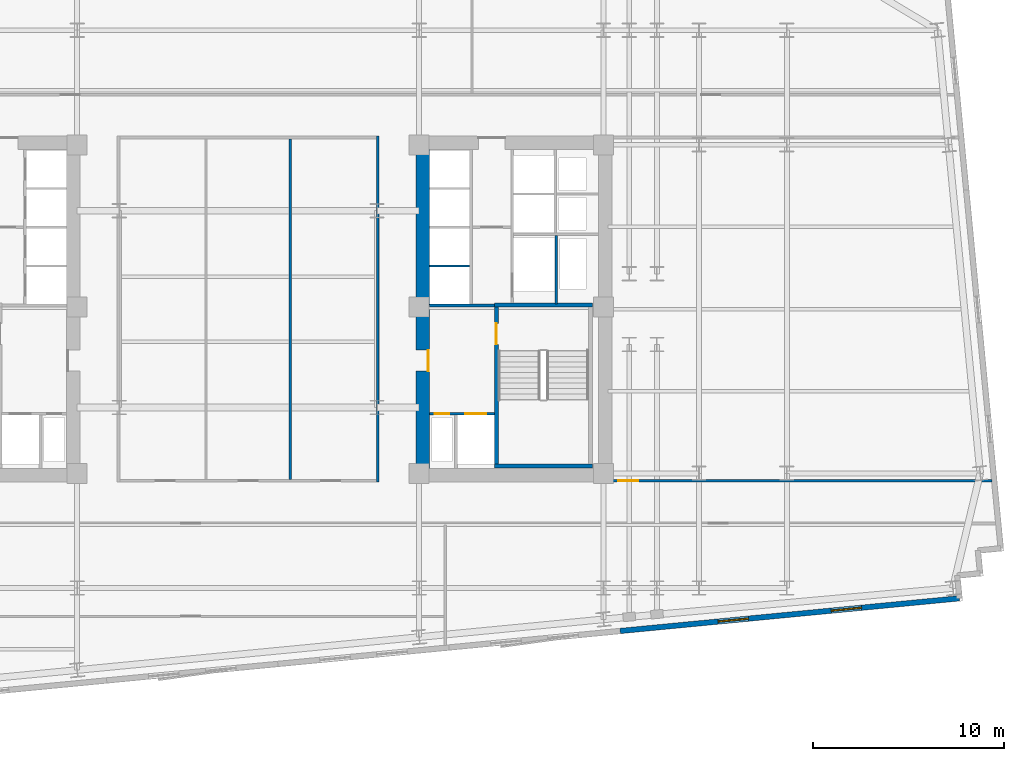
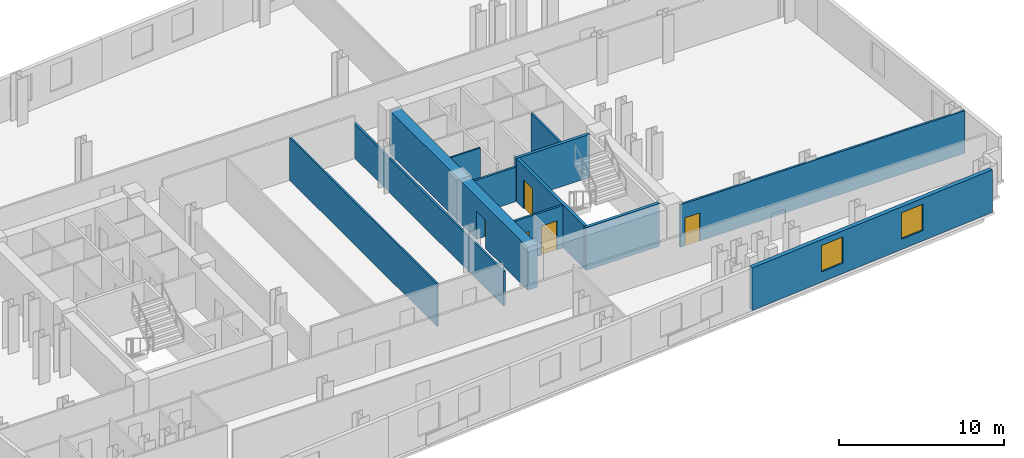
# One storey, part 6 of 10: 12 walls, 5 doors, 2 windows, 7 openings.
"""IFC4 building model written with IfcOpenShell, lengths in metres."""

from ifc_helpers import new_model, si_unit, direction, frame, frame_2d, origin, place, context, subcontext, project, spatial, rectangle, extrude, material, layer, layer_set, type_object, element, fill, save


model = new_model("IFC4")

# Units and contexts
model_context = context("Model", 3, precision=1e-05, world=origin(), true_north=direction((0.0, 1.0)))
body_context = subcontext(model_context, "Body", "Model", "MODEL_VIEW")
ifc_project = project(units=[si_unit("LENGTHUNIT", "METRE"), si_unit("AREAUNIT", "SQUARE_METRE"), si_unit("VOLUMEUNIT", "CUBIC_METRE"), si_unit("PLANEANGLEUNIT", "RADIAN"), si_unit("MASSUNIT", "GRAM", prefix="KILO")], contexts=[model_context])

# Site, building, storey
site_placement = place(None, origin())
site = spatial("IfcSite", under=ifc_project, at=site_placement, CompositionType="ELEMENT")
building_placement = place(site_placement, origin())
building = spatial("IfcBuilding", under=site, at=building_placement, Name="Velakula Bourse", CompositionType="ELEMENT")
storey_placement = place(building_placement, frame((0.0, 0.0, 108.699951171875)))
storey = spatial("IfcBuildingStorey", under=building, at=storey_placement, Name="L29", CompositionType="ELEMENT", Elevation=108.699951171875)

# Wall, opening, door
ifc_material_1 = material(Name="Concrete M50 (fck 50 MPa)", Category="concrete")
ifc_layer_1 = layer(ifc_material_1, 0.2099609375, Name="Concrete M50 (fck 50 MPa)", Category="concrete")
ifc_layer_set_1 = layer_set([ifc_layer_1], Name="Concrete M50 (fck 50 MPa)")
wall_type_1 = type_object("IfcWallType", Name="WL-CORE-210", PredefinedType="SHEAR", material=ifc_layer_set_1)
wall_1_placement = place(storey_placement, frame((12.9951171875, -8.10009765625, 0.0), z_axis=(0.0, 0.0, 1.0), x_axis=(0.0, 1.0, 0.0)))
wall_1 = element("IfcWall", 1, at=wall_1_placement, inside=storey, type_object=wall_type_1, Name="L29 Core E Stairwell Shear Wall IN", PredefinedType="SHEAR", context=body_context, shape_type="SweptSolid", body=[
    extrude(rectangle(XDim=8.2001953125, YDim=0.2099609375, at=frame_2d((4.10009765625, 0.0))), origin(), (0.0, 0.0, 1.0), 3.170166015625),
])
opening_1_placement = place(wall_1_placement, frame((6.25, 0.0, 0.0)))
opening_1 = element("IfcOpeningElement", 2, at=opening_1_placement, cuts=wall_1, Name="Opening D-STE1", PredefinedType="OPENING", context=body_context, shape_type="SweptSolid", body=[
    extrude(rectangle(XDim=1.10009765625, YDim=2.14990234375, at=frame_2d((0.550048828125, 1.074951171875))), frame((0.0, 0.114990234375, 0.0), z_axis=(0.0, -1.0, 0.0), x_axis=(1.0, 0.0, 0.0)), (0.0, 0.0, 1.0), 0.22998046875),
])
ifc_material_2 = material(Name="Galvanised painted hollow steel fire door", Category="steel")
door_type_1 = type_object("IfcDoorType", Name="DR-FD120-1100x2150", OperationType="NOTDEFINED", PredefinedType="DOOR", material=ifc_material_2)
door_1_placement = place(opening_1_placement, origin())
door_1 = element("IfcDoor", 3, at=door_1_placement, inside=storey, type_object=door_type_1, Name="L29 Stair ST-E1 Fire Door", OperationType="SINGLE_SWING_RIGHT", OverallHeight=2.14990234375, OverallWidth=1.10009765625, PredefinedType="DOOR", context=body_context, shape_type="SweptSolid", body=[
    extrude(rectangle(XDim=1.10009765625, YDim=2.14990234375, at=frame_2d((0.550048828125, 1.074951171875))), frame((0.0, 0.02490234375, 0.0), z_axis=(0.0, -1.0, 0.0), x_axis=(1.0, 0.0, 0.0)), (0.0, 0.0, 1.0), 0.050048828125),
])
fill(opening_1, door_1)

# Walls
for number, where, z_axis, x_axis, name in (
    (4, (12.889892578125, -8.205078125, 0.0), (0.0, 0.0, 1.0), (1.0, 0.0, 0.0), "L29 Core E Stairwell Shear Wall S"),
    (5, (18.030029296875, 0.205078125, 0.0), (0.0, 0.0, 1.0), (-1.0, 0.0, 0.0), "L29 Core E Stairwell Shear Wall N"),
):
    element("IfcWall", number, at=place(storey_placement, frame(where, z_axis=z_axis, x_axis=x_axis)), inside=storey, type_object=wall_type_1, Name=name, PredefinedType="SHEAR", context=body_context, shape_type="SweptSolid", body=[
        extrude(rectangle(XDim=5.14013671875, YDim=0.2099609375, at=frame_2d((2.570068359375, 0.0))), origin(), (0.0, 0.0, 1.0), 3.170166015625),
    ])

# Wall, opening, door
ifc_material_3 = material(Name="Concrete M70 (fck 70 MPa)", Category="concrete")
ifc_layer_2 = layer(ifc_material_3, 0.699951171875, Name="Concrete M70 (fck 70 MPa)", Category="concrete")
ifc_layer_set_2 = layer_set([ifc_layer_2], Name="Concrete M70 (fck 70 MPa)")
wall_type_2 = type_object("IfcWallType", Name="WL-CORE-700", PredefinedType="SHEAR", material=ifc_layer_set_2)
wall_2_placement = place(storey_placement, frame((9.14990234375, -8.35009765625, 0.0), z_axis=(0.0, 0.0, 1.0), x_axis=(0.0, 1.0, 0.0)))
wall_2 = element("IfcWall", 6, at=wall_2_placement, inside=storey, type_object=wall_type_2, Name="L29 Core E Shear Wall W", PredefinedType="SHEAR", context=body_context, shape_type="SweptSolid", body=[
    extrude(rectangle(XDim=16.7001953125, YDim=0.699951171875, at=frame_2d((8.35009765625, 0.0))), origin(), (0.0, 0.0, 1.0), 3.170166015625),
])
opening_2_placement = place(wall_2_placement, frame((5.10009765625, 0.0, 0.0)))
opening_2 = element("IfcOpeningElement", 7, at=opening_2_placement, cuts=wall_2, Name="Opening D-FLE", PredefinedType="OPENING", context=body_context, shape_type="SweptSolid", body=[
    extrude(rectangle(XDim=1.10009765625, YDim=2.080078125, at=frame_2d((0.550048828125, 1.0400390625))), frame((0.0, 0.35986328125, 0.0), z_axis=(0.0, -1.0, 0.0), x_axis=(1.0, 0.0, 0.0)), (0.0, 0.0, 1.0), 0.719970703125),
])
door_type_2 = type_object("IfcDoorType", Name="DR-FD120-1100", OperationType="NOTDEFINED", PredefinedType="DOOR", material=ifc_material_2)
door_2_placement = place(opening_2_placement, origin())
door_2 = element("IfcDoor", 8, at=door_2_placement, inside=storey, type_object=door_type_2, Name="L29 Firefighting Lobby E Corridor Fire Door", OperationType="SINGLE_SWING_RIGHT", OverallHeight=2.080078125, OverallWidth=1.10009765625, PredefinedType="DOOR", context=body_context, shape_type="SweptSolid", body=[
    extrude(rectangle(XDim=1.10009765625, YDim=2.080078125, at=frame_2d((0.550048828125, 1.0400390625))), frame((0.0, -0.2548828125, 0.0), z_axis=(0.0, -1.0, 0.0), x_axis=(1.0, 0.0, 0.0)), (0.0, 0.0, 1.0), 0.050048828125),
])
fill(opening_2, door_2)

# Wall, openings, windows
ifc_material_4 = material(Name="Red kilned clay facing brick masonry", Category="masonry")
ifc_layer_3 = layer(ifc_material_4, 0.280029296875, Name="Red kilned clay facing brick masonry", Category="masonry")
ifc_layer_set_3 = layer_set([ifc_layer_3], Name="Red kilned clay facing brick masonry")
wall_type_3 = type_object("IfcWallType", Name="WL-EXT-BRK-280", PredefinedType="STANDARD", material=ifc_layer_set_3)
wall_3_placement = place(storey_placement, frame((37.2314453125, -15.138427734375, 0.0), z_axis=(0.0, 0.0, 1.0), x_axis=(-0.995395780835, -0.095850088663, 0.0)))
wall_3 = element("IfcWall", 9, at=wall_3_placement, inside=storey, type_object=wall_type_3, Name="L29 S Brick Spandrel Wall B5", PredefinedType="STANDARD", context=body_context, shape_type="SweptSolid", body=[
    extrude(rectangle(XDim=17.83984375, YDim=0.280029296875, at=frame_2d((8.919921875, 0.0))), origin(), (0.0, 0.0, 1.0), 3.150146484375),
])
opening_3_placement = place(wall_3_placement, frame((5.146728515625, 0.0, 0.760009765625)))
opening_3 = element("IfcOpeningElement", 10, at=opening_3_placement, cuts=wall_3, Name="Opening W-02", PredefinedType="OPENING", context=body_context, shape_type="SweptSolid", body=[
    extrude(rectangle(XDim=1.60009765625, YDim=1.949951171875, at=frame_2d((0.800048828125, 0.97509765625))), frame((0.0, 0.14990234375, 0.0), z_axis=(0.0, -1.0, 0.0), x_axis=(1.0, 0.0, 0.0)), (0.0, 0.0, 1.0), 0.300048828125),
])
opening_4_placement = place(wall_3_placement, frame((11.09326171875, 0.0, 0.760009765625)))
opening_4 = element("IfcOpeningElement", 11, at=opening_4_placement, cuts=wall_3, Name="Opening W-02", PredefinedType="OPENING", context=body_context, shape_type="SweptSolid", body=[
    extrude(rectangle(XDim=1.60009765625, YDim=1.949951171875, at=frame_2d((0.800048828125, 0.97509765625))), frame((0.0, 0.14990234375, 0.0), z_axis=(0.0, -1.0, 0.0), x_axis=(1.0, 0.0, 0.0)), (0.0, 0.0, 1.0), 0.300048828125),
])
ifc_material_5 = material(Name="Double-glazed solar-control Low-E glass", Category="glass")
window_type = type_object("IfcWindowType", Name="WIN-TWR-1600x2100", PartitioningType="SINGLE_PANEL", PredefinedType="WINDOW", material=ifc_material_5)
window_1_placement = place(opening_3_placement, origin())
window_1 = element("IfcWindow", 12, at=window_1_placement, inside=storey, type_object=window_type, Name="L29 Deep-Set Recessed Window 1", OverallHeight=1.949951171875, OverallWidth=1.60009765625, PartitioningType="SINGLE_PANEL", PredefinedType="WINDOW", context=body_context, shape_type="SweptSolid", body=[
    extrude(rectangle(XDim=1.60009765625, YDim=1.949951171875, at=frame_2d((0.800048828125, 0.97509765625))), frame((0.0, 0.030029296875, 0.0), z_axis=(0.0, -1.0, 0.0), x_axis=(1.0, 0.0, 0.0)), (0.0, 0.0, 1.0), 0.06005859375),
])
fill(opening_3, window_1)
window_2_placement = place(opening_4_placement, origin())
window_2 = element("IfcWindow", 13, at=window_2_placement, inside=storey, type_object=window_type, Name="L29 Deep-Set Recessed Window 2", OverallHeight=1.949951171875, OverallWidth=1.60009765625, PartitioningType="SINGLE_PANEL", PredefinedType="WINDOW", context=body_context, shape_type="SweptSolid", body=[
    extrude(rectangle(XDim=1.60009765625, YDim=1.949951171875, at=frame_2d((0.800048828125, 0.97509765625))), frame((0.0, 0.030029296875, 0.0), z_axis=(0.0, -1.0, 0.0), x_axis=(1.0, 0.0, 0.0)), (0.0, 0.0, 1.0), 0.06005859375),
])
fill(opening_4, window_2)

# Walls
ifc_material_6 = material(Name="Fire-rated double-layer gypsum drywall partition", Category="gypsum")
ifc_layer_4 = layer(ifc_material_6, 0.1201171875, Name="Fire-rated double-layer gypsum drywall partition", Category="gypsum")
ifc_layer_set_4 = layer_set([ifc_layer_4], Name="Fire-rated double-layer gypsum drywall partition")
wall_type_4 = type_object("IfcWallType", Name="WL-PART-120", PredefinedType="STANDARD", material=ifc_layer_set_4)
wall_4_placement = place(storey_placement, frame((9.5, 2.2548828125, 0.0), z_axis=(0.0, 0.0, 1.0), x_axis=(1.0, 0.0, 0.0)))
element("IfcWall", 14, at=wall_4_placement, inside=storey, type_object=wall_type_4, Name="L29 Interior Partition WL-CRE-L29-BDIV-0", PredefinedType="STANDARD", context=body_context, shape_type="SweptSolid", body=[
    extrude(rectangle(XDim=2.10009765625, YDim=0.110107421875, at=frame_2d((1.050048828125, 0.0))), origin(), (0.0, 0.0, 1.0), 3.150146484375),
])
wall_5_placement = place(storey_placement, frame((16.125, 0.27001953125, 0.0), z_axis=(0.0, 0.0, 1.0), x_axis=(0.0, 1.0, 0.0)))
element("IfcWall", 15, at=wall_5_placement, inside=storey, type_object=wall_type_4, Name="L29 Interior Partition WL-CRE-L29-SVL-E", PredefinedType="STANDARD", context=body_context, shape_type="SweptSolid", body=[
    extrude(rectangle(XDim=3.590087890625, YDim=0.1201171875, at=frame_2d((1.794921875, 0.0))), origin(), (0.0, 0.0, 1.0), 3.150146484375),
])

# Wall, opening, door
ifc_layer_5 = layer(ifc_material_6, 0.139892578125, Name="Fire-rated double-layer gypsum drywall partition", Category="gypsum")
ifc_layer_set_5 = layer_set([ifc_layer_5], Name="Fire-rated double-layer gypsum drywall partition")
wall_type_5 = type_object("IfcWallType", Name="WL-PART-140", PredefinedType="STANDARD", material=ifc_layer_set_5)
wall_6_placement = place(storey_placement, frame((19.050048828125, -8.97998046875, 0.0), z_axis=(0.0, 0.0, 1.0), x_axis=(1.0, 0.0, 0.0)))
wall_6 = element("IfcWall", 16, at=wall_6_placement, inside=storey, type_object=wall_type_5, Name="L29 Interior Partition WL-INT-L29-E-SC", PredefinedType="STANDARD", context=body_context, shape_type="SweptSolid", body=[
    extrude(rectangle(XDim=19.87890625, YDim=0.139892578125, at=frame_2d((9.939453125, 0.0))), origin(), (0.0, 0.0, 1.0), 3.150146484375),
])
opening_5_placement = place(wall_6_placement, frame((0.320068359375, 0.0, 0.0)))
opening_5 = element("IfcOpeningElement", 17, at=opening_5_placement, cuts=wall_6, Name="Opening D-OF2", PredefinedType="OPENING", context=body_context, shape_type="SweptSolid", body=[
    extrude(rectangle(XDim=1.050048828125, YDim=2.080078125, at=frame_2d((0.52490234375, 1.0400390625))), frame((0.0, 0.079833984375, 0.0), z_axis=(0.0, -1.0, 0.0), x_axis=(1.0, 0.0, 0.0)), (0.0, 0.0, 1.0), 0.159912109375),
])
ifc_material_7 = material(Name="Fire-rated hardwood flush architectural door", Category="wood")
door_type_3 = type_object("IfcDoorType", Name="DR-OFF-1050", OperationType="NOTDEFINED", PredefinedType="DOOR", material=ifc_material_7)
door_3_placement = place(opening_5_placement, origin())
door_3 = element("IfcDoor", 18, at=door_3_placement, inside=storey, type_object=door_type_3, Name="L29 Traders Bistro Restaurant Door", OperationType="SINGLE_SWING_RIGHT", OverallHeight=2.080078125, OverallWidth=1.050048828125, PredefinedType="DOOR", context=body_context, shape_type="SweptSolid", body=[
    extrude(rectangle(XDim=1.050048828125, YDim=2.080078125, at=frame_2d((0.52490234375, 1.0400390625))), frame((0.0, 0.02490234375, 0.0), z_axis=(0.0, -1.0, 0.0), x_axis=(1.0, 0.0, 0.0)), (0.0, 0.0, 1.0), 0.050048828125),
])
fill(opening_5, door_3)

# Walls
wall_7_placement = place(storey_placement, frame((6.780029296875, -9.050048828125, 0.0), z_axis=(0.0, 0.0, 1.0), x_axis=(0.0, 1.0, 0.0)))
element("IfcWall", 19, at=wall_7_placement, inside=storey, type_object=wall_type_5, Name="L29 Interior Partition WL-INT-L29-MID-E", PredefinedType="STANDARD", context=body_context, shape_type="SweptSolid", body=[
    extrude(rectangle(XDim=18.10009765625, YDim=0.139892578125, at=frame_2d((9.050048828125, 0.0))), origin(), (0.0, 0.0, 1.0), 2.545166015625),
])
wall_8_placement = place(storey_placement, frame((2.199951171875, -8.909912109375, 0.0), z_axis=(0.0, 0.0, 1.0), x_axis=(0.0, 1.0, 0.0)))
element("IfcWall", 20, at=wall_8_placement, inside=storey, type_object=wall_type_5, Name="L29 Interior Partition WL-INT-L29-MD5V2", PredefinedType="STANDARD", context=body_context, shape_type="SweptSolid", body=[
    extrude(rectangle(XDim=17.81982421875, YDim=0.1201171875, at=frame_2d((8.909912109375, 0.0))), origin(), (0.0, 0.0, 1.0), 3.150146484375),
])

# Wall, openings, doors
ifc_material_8 = material(Name="Autoclaved aerated concrete blockwork masonry", Category="masonry")
ifc_layer_6 = layer(ifc_material_8, 0.14990234375, Name="Autoclaved aerated concrete blockwork masonry", Category="masonry")
ifc_layer_set_6 = layer_set([ifc_layer_6], Name="Autoclaved aerated concrete blockwork masonry")
wall_type_6 = type_object("IfcWallType", Name="WL-SHAFT-150", PredefinedType="STANDARD", material=ifc_layer_set_6)
wall_9_placement = place(storey_placement, frame((9.5, -5.47509765625, 0.0), z_axis=(0.0, 0.0, 1.0), x_axis=(1.0, 0.0, 0.0)))
wall_9 = element("IfcWall", 21, at=wall_9_placement, inside=storey, type_object=wall_type_6, Name="L29 Interior Partition WL-CRE-L29-FFL-N", PredefinedType="STANDARD", context=body_context, shape_type="SweptSolid", body=[
    extrude(rectangle(XDim=3.39501953125, YDim=0.14990234375, at=frame_2d((1.697509765625, 0.0))), origin(), (0.0, 0.0, 1.0), 3.150146484375),
])
opening_6_placement = place(wall_9_placement, frame((1.875, 0.0, 0.0)))
opening_6 = element("IfcOpeningElement", 22, at=opening_6_placement, cuts=wall_9, Name="Opening LD-FFL-2", PredefinedType="OPENING", context=body_context, shape_type="SweptSolid", body=[
    extrude(rectangle(XDim=1.10009765625, YDim=2.14990234375, at=frame_2d((0.550048828125, 1.074951171875))), frame((0.0, 0.0849609375, 0.0), z_axis=(0.0, -1.0, 0.0), x_axis=(1.0, 0.0, 0.0)), (0.0, 0.0, 1.0), 0.169921875),
])
opening_7_placement = place(wall_9_placement, frame((0.27490234375, 0.0, 0.0)))
opening_7 = element("IfcOpeningElement", 23, at=opening_7_placement, cuts=wall_9, Name="Opening D-RS1", PredefinedType="OPENING", context=body_context, shape_type="SweptSolid", body=[
    extrude(rectangle(XDim=0.75, YDim=2.050048828125, at=frame_2d((0.375, 1.02490234375))), frame((0.0, 0.0849609375, 0.0), z_axis=(0.0, -1.0, 0.0), x_axis=(1.0, 0.0, 0.0)), (0.0, 0.0, 1.0), 0.169921875),
])
door_type_4 = type_object("IfcDoorType", Name="DR-RISER-800", OperationType="NOTDEFINED", PredefinedType="DOOR", material=ifc_material_2)
door_4_placement = place(opening_7_placement, origin())
door_4 = element("IfcDoor", 24, at=door_4_placement, inside=storey, type_object=door_type_4, Name="L29 Fire Riser Access Door", OperationType="SINGLE_SWING_LEFT", OverallHeight=2.050048828125, OverallWidth=0.75, PredefinedType="DOOR", context=body_context, shape_type="SweptSolid", body=[
    extrude(rectangle(XDim=0.75, YDim=2.050048828125, at=frame_2d((0.375, 1.02490234375))), frame((0.0, 0.02490234375, 0.0), z_axis=(0.0, -1.0, 0.0), x_axis=(1.0, 0.0, 0.0)), (0.0, 0.0, 1.0), 0.050048828125),
])
fill(opening_7, door_4)
ifc_material_9 = material(Name="Brushed grade 316 stainless steel", Category="steel")
door_type_5 = type_object("IfcDoorType", Name="DR-SLIDE-FFL-1100", OperationType="DOUBLE_DOOR_SLIDING", PredefinedType="DOOR", material=ifc_material_9)
door_5_placement = place(opening_6_placement, origin())
door_5 = element("IfcDoor", 25, at=door_5_placement, inside=storey, type_object=door_type_5, Name="L29 Firefighting Lift FFL-2 Sliding Landing Door", OperationType="DOUBLE_DOOR_SLIDING", OverallHeight=2.14990234375, OverallWidth=1.10009765625, PredefinedType="DOOR", context=body_context, shape_type="SweptSolid", body=[
    extrude(rectangle(XDim=1.10009765625, YDim=2.14990234375, at=frame_2d((0.550048828125, 1.074951171875))), frame((0.0, 0.02490234375, 0.0), z_axis=(0.0, -1.0, 0.0), x_axis=(1.0, 0.0, 0.0)), (0.0, 0.0, 1.0), 0.050048828125),
])
fill(opening_6, door_5)

# Wall
wall_10_placement = place(storey_placement, frame((9.5, 0.18994140625, 0.0), z_axis=(0.0, 0.0, 1.0), x_axis=(1.0, 0.0, 0.0)))
element("IfcWall", 26, at=wall_10_placement, inside=storey, type_object=wall_type_6, Name="L29 Interior Partition WL-CRE-L29-FF-TOP", PredefinedType="STANDARD", context=body_context, shape_type="SweptSolid", body=[
    extrude(rectangle(XDim=3.389892578125, YDim=0.14990234375, at=frame_2d((1.69482421875, 0.0))), origin(), (0.0, 0.0, 1.0), 2.545166015625),
])

save(model, "model.ifc")
